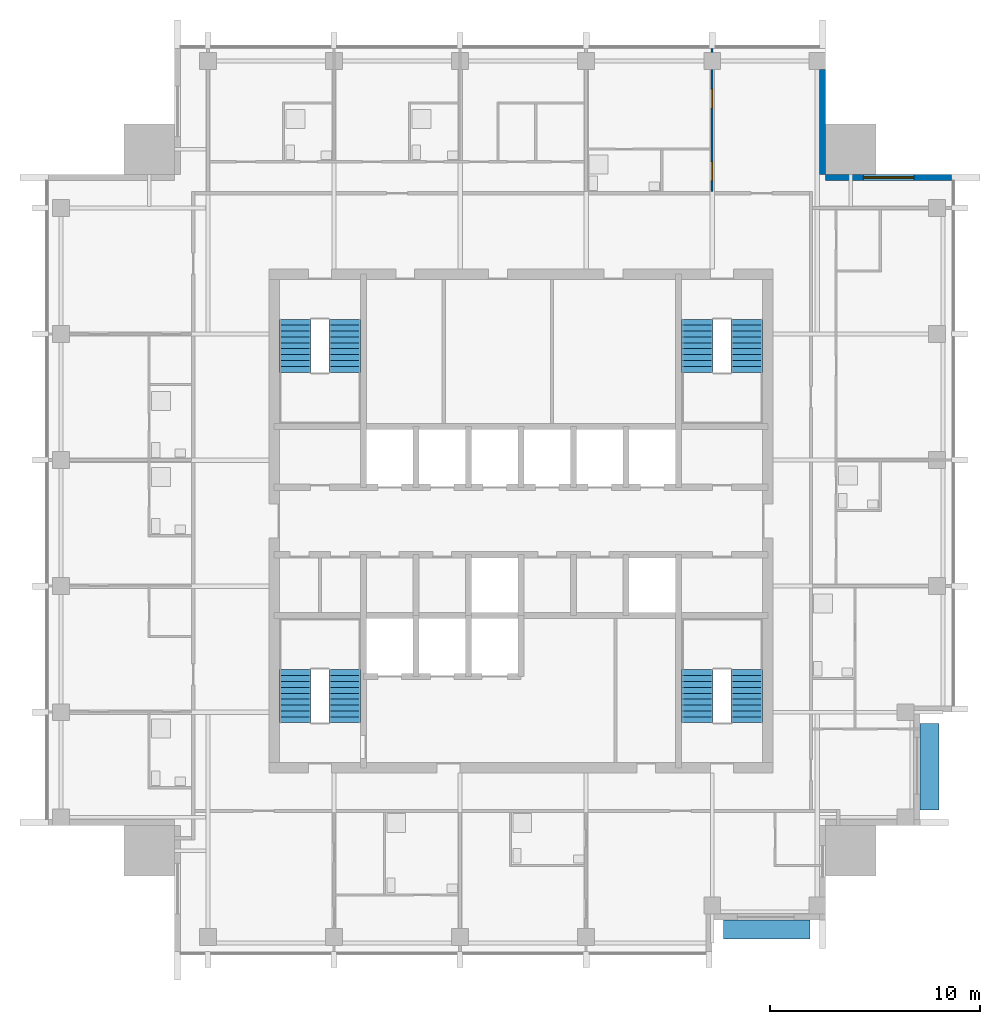
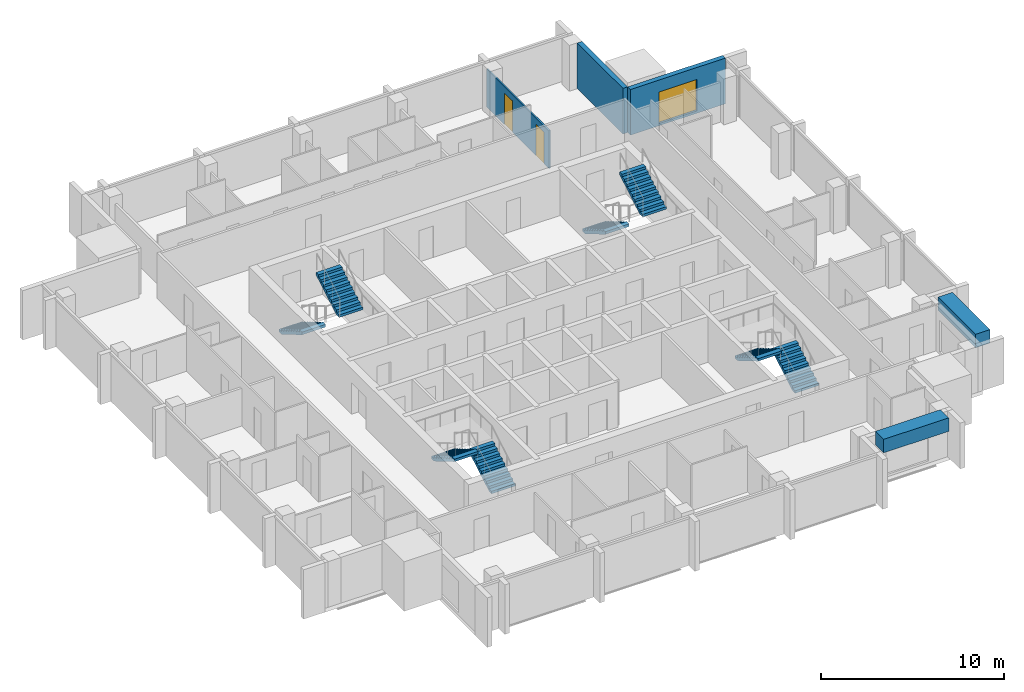
# One storey, part 7 of 9: 8 stair flights, 3 walls, 2 discrete accessories, 2 doors, 1 window, 3 openings, 4 elements without a shape of their own.
"""IFC4 building model written with IfcOpenShell, lengths in metres."""

from ifc_helpers import new_model, si_unit, direction, frame, frame_2d, origin, origin_2d, place, context, subcontext, project, spatial, polyline, rectangle, outline, extrude, material, layer, layer_set, type_object, element, fill, aggregate, save


model = new_model("IFC4")

# Units and contexts
model_context = context("Model", 3, precision=1e-05, world=origin(), true_north=direction((0.0, 1.0)))
body_context = subcontext(model_context, "Body", "Model", "MODEL_VIEW")
ifc_project = project(units=[si_unit("LENGTHUNIT", "METRE"), si_unit("AREAUNIT", "SQUARE_METRE"), si_unit("VOLUMEUNIT", "CUBIC_METRE"), si_unit("PLANEANGLEUNIT", "RADIAN"), si_unit("MASSUNIT", "GRAM", prefix="KILO")], contexts=[model_context])

# Site, building, storey
site_placement = place(None, origin())
site = spatial("IfcSite", under=ifc_project, at=site_placement, CompositionType="ELEMENT")
building_placement = place(site_placement, origin())
building = spatial("IfcBuilding", under=site, at=building_placement, Name="Amberfall Residences", CompositionType="ELEMENT")
storey_placement = place(building_placement, frame((0.0, 0.0, 255.39990234375)))
storey = spatial("IfcBuildingStorey", under=building, at=storey_placement, Name="L68", CompositionType="ELEMENT", Elevation=255.39990234375)

# Wall, opening, window
ifc_material_1 = material(Name="Pale stone cladding on insulated backing", Category="masonry")
ifc_layer_1 = layer(ifc_material_1, 0.300048828125)
ifc_layer_set_1 = layer_set([ifc_layer_1], Name="Bronze clad wall 300")
wall_type_1 = type_object("IfcWallType", Name="Bronze clad wall 300", PredefinedType="SOLIDWALL", material=ifc_layer_set_1)
wall_1_placement = place(storey_placement, frame((95.0, 61.85009765625, 0.0), z_axis=(0.0, 0.0, 1.0), x_axis=(-1.0, 0.0, 0.0)))
wall_1 = element("IfcWall", 1, at=wall_1_placement, inside=storey, type_object=wall_type_1, Name="External wall L68 NE", PredefinedType="SOLIDWALL", context=body_context, shape_type="SweptSolid", body=[
    extrude(rectangle(XDim=6.0, YDim=0.300048828125, at=frame_2d((3.0, 0.0))), origin(), (0.0, 0.0, 1.0), 3.050048828125),
])
opening_1_placement = place(wall_1_placement, frame((1.800048828125, 0.0, 0.14990234375)))
opening_1 = element("IfcOpeningElement", 2, at=opening_1_placement, cuts=wall_1, Name="Opening WN5", PredefinedType="OPENING", context=body_context, shape_type="SweptSolid", body=[
    extrude(rectangle(XDim=2.39990234375, YDim=2.10009765625, at=frame_2d((1.199951171875, 1.050048828125))), frame((0.0, 0.159912109375, 0.0), z_axis=(0.0, -1.0, 0.0), x_axis=(1.0, 0.0, 0.0)), (0.0, 0.0, 1.0), 0.320068359375),
])
ifc_material_2 = material(Name="Bronze aluminium framed glazing", Category="aluminium")
window_type = type_object("IfcWindowType", Name="Glazed opening 2400 x 2100 bronze", PartitioningType="DOUBLE_PANEL_VERTICAL", PredefinedType="WINDOW", material=ifc_material_2)
window_placement = place(opening_1_placement, origin())
window = element("IfcWindow", 3, at=window_placement, inside=storey, type_object=window_type, Name="Window L68 NE", OverallHeight=2.10009765625, OverallWidth=2.39990234375, PartitioningType="DOUBLE_PANEL_VERTICAL", PredefinedType="WINDOW", context=body_context, shape_type="SweptSolid", body=[
    extrude(rectangle(XDim=2.39990234375, YDim=2.10009765625, at=frame_2d((1.199951171875, 1.050048828125))), frame((0.0, 0.030029296875, 0.0), z_axis=(0.0, -1.0, 0.0), x_axis=(1.0, 0.0, 0.0)), (0.0, 0.0, 1.0), 0.06005859375),
])
fill(opening_1, window)

# Wall
wall_2_placement = place(storey_placement, frame((88.85009765625, 62.0, 0.0), z_axis=(0.0, 0.0, 1.0), x_axis=(0.0, 1.0, 0.0)))
element("IfcWall", 4, at=wall_2_placement, inside=storey, type_object=wall_type_1, Name="External wall L68 NE", PredefinedType="SOLIDWALL", context=body_context, shape_type="SweptSolid", body=[
    extrude(rectangle(XDim=5.0, YDim=0.300048828125, at=frame_2d((2.5, 0.0))), origin(), (0.0, 0.0, 1.0), 3.050048828125),
])

# Wall, openings, doors
ifc_material_3 = material(Name="Gypsum board on metal stud")
ifc_layer_2 = layer(ifc_material_3, 0.10009765625)
ifc_layer_set_2 = layer_set([ifc_layer_2], Name="Flat partition 100")
wall_type_2 = type_object("IfcWallType", Name="Flat partition 100", PredefinedType="PARTITIONING", material=ifc_layer_set_2)
wall_3_placement = place(storey_placement, frame((83.60009765625, 61.175048828125, 0.0), z_axis=(0.0, 0.0, 1.0), x_axis=(0.0, 1.0, 0.0)))
wall_3 = element("IfcWall", 5, at=wall_3_placement, inside=storey, type_object=wall_type_2, Name="Partition 015", PredefinedType="PARTITIONING", context=body_context, shape_type="SweptSolid", body=[
    extrude(rectangle(XDim=6.824951171875, YDim=0.10009765625, at=frame_2d((3.41259765625, 0.0))), origin(), (0.0, 0.0, 1.0), 2.51611328125),
])
opening_2_placement = place(wall_3_placement, frame((0.52490234375, 0.0, 0.0)))
opening_2 = element("IfcOpeningElement", 6, at=opening_2_placement, cuts=wall_3, Name="Opening D41", PredefinedType="OPENING", context=body_context, shape_type="SweptSolid", body=[
    extrude(rectangle(XDim=0.89990234375, YDim=2.10009765625, at=frame_2d((0.449951171875, 1.050048828125))), frame((0.0, 0.06005859375, 0.0), z_axis=(0.0, -1.0, 0.0), x_axis=(1.0, 0.0, 0.0)), (0.0, 0.0, 1.0), 0.1201171875),
])
opening_3_placement = place(wall_3_placement, frame((3.97509765625, 0.0, 0.0)))
opening_3 = element("IfcOpeningElement", 7, at=opening_3_placement, cuts=wall_3, Name="Opening D41", PredefinedType="OPENING", context=body_context, shape_type="SweptSolid", body=[
    extrude(rectangle(XDim=0.89990234375, YDim=2.10009765625, at=frame_2d((0.449951171875, 1.050048828125))), frame((0.0, 0.06005859375, 0.0), z_axis=(0.0, -1.0, 0.0), x_axis=(1.0, 0.0, 0.0)), (0.0, 0.0, 1.0), 0.1201171875),
])
ifc_material_4 = material(Name="Timber", Category="wood")
door_type = type_object("IfcDoorType", Name="Internal door 900 x 2100", OperationType="SINGLE_SWING_LEFT", PredefinedType="DOOR", material=ifc_material_4)
door_1_placement = place(opening_2_placement, origin())
door_1 = element("IfcDoor", 8, at=door_1_placement, inside=storey, type_object=door_type, Name="Door 6806 kitchen", OperationType="SINGLE_SWING_LEFT", OverallHeight=2.10009765625, OverallWidth=0.89990234375, PredefinedType="DOOR", context=body_context, shape_type="SweptSolid", body=[
    extrude(rectangle(XDim=0.89990234375, YDim=2.10009765625, at=frame_2d((0.449951171875, 1.050048828125))), frame((0.0, 0.02490234375, 0.0), z_axis=(0.0, -1.0, 0.0), x_axis=(1.0, 0.0, 0.0)), (0.0, 0.0, 1.0), 0.050048828125),
])
fill(opening_2, door_1)
door_2_placement = place(opening_3_placement, origin())
door_2 = element("IfcDoor", 9, at=door_2_placement, inside=storey, type_object=door_type, Name="Door 6806 bedroom1", OperationType="SINGLE_SWING_LEFT", OverallHeight=2.10009765625, OverallWidth=0.89990234375, PredefinedType="DOOR", context=body_context, shape_type="SweptSolid", body=[
    extrude(rectangle(XDim=0.89990234375, YDim=2.10009765625, at=frame_2d((0.449951171875, 1.050048828125))), frame((0.0, 0.02490234375, 0.0), z_axis=(0.0, -1.0, 0.0), x_axis=(1.0, 0.0, 0.0)), (0.0, 0.0, 1.0), 0.050048828125),
])
fill(opening_3, door_2)

# Stair, stair flights
ifc_material_5 = material(Name="Concrete C40", Category="concrete")
stair_type = type_object("IfcStairType", Name="Exit stair 20 risers 165.0 mm", PredefinedType="HALF_TURN_STAIR", material=ifc_material_5)
stair_1_placement = place(storey_placement, origin())
stair_1 = element("IfcStair", 10, at=stair_1_placement, inside=storey, type_object=stair_type, Name="L68 Exit stair 1", PredefinedType="HALF_TURN_STAIR")
stair_flight_type = type_object("IfcStairFlightType", Name="Stair flight 10 risers 165.0 mm", PredefinedType="STRAIGHT", material=ifc_material_5)
stair_flight_1_placement = place(storey_placement, frame((66.10009765625, 35.89990234375, 0.0), z_axis=(0.0, 0.0, 1.0), x_axis=(0.0, 1.0, 0.0)))
stair_flight_1 = element("IfcStairFlight", 11, at=stair_flight_1_placement, type_object=stair_flight_type, Name="ST3 flight 1", NumberOfRisers=10, NumberOfTreads=9, PredefinedType="STRAIGHT", RiserHeight=0.165, TreadLength=0.28, context=body_context, shape_type="SweptSolid", body=[
    extrude(outline(polyline([(0.0, 0.0), (0.0, 0.1650390625), (0.280029296875, 0.1650390625), (0.280029296875, 0.330078125), (0.56005859375, 0.330078125), (0.56005859375, 0.4951171875), (0.840087890625, 0.4951171875), (0.840087890625, 0.659912109375), (1.1201171875, 0.659912109375), (1.1201171875, 0.824951171875), (1.39990234375, 0.824951171875), (1.39990234375, 0.989990234375), (1.679931640625, 0.989990234375), (1.679931640625, 1.155029296875), (1.9599609375, 1.155029296875), (1.9599609375, 1.320068359375), (2.239990234375, 1.320068359375), (2.239990234375, 1.485107421875), (2.52001953125, 1.485107421875), (2.52001953125, 1.64990234375), (2.52001953125, 1.31103515625), (0.295166015625, 0.0), (0.0, 0.0)])), frame((0.0, 0.75, 0.0), z_axis=(0.0, -1.0, 0.0), x_axis=(1.0, 0.0, 0.0)), (0.0, 0.0, 1.0), 1.5),
])
stair_flight_2_placement = place(storey_placement, frame((63.75, 38.419921875, 1.650146484375), z_axis=(0.0, 0.0, 1.0), x_axis=(0.0, -1.0, 0.0)))
stair_flight_2 = element("IfcStairFlight", 12, at=stair_flight_2_placement, type_object=stair_flight_type, Name="ST3 flight 2", NumberOfRisers=10, NumberOfTreads=9, PredefinedType="STRAIGHT", RiserHeight=0.165, TreadLength=0.28, context=body_context, shape_type="SweptSolid", body=[
    extrude(outline(polyline([(0.0, 0.0), (0.0, 0.1650390625), (0.280029296875, 0.1650390625), (0.280029296875, 0.330078125), (0.56005859375, 0.330078125), (0.56005859375, 0.4951171875), (0.840087890625, 0.4951171875), (0.840087890625, 0.659912109375), (1.1201171875, 0.659912109375), (1.1201171875, 0.824951171875), (1.39990234375, 0.824951171875), (1.39990234375, 0.989990234375), (1.679931640625, 0.989990234375), (1.679931640625, 1.155029296875), (1.9599609375, 1.155029296875), (1.9599609375, 1.320068359375), (2.239990234375, 1.320068359375), (2.239990234375, 1.485107421875), (2.52001953125, 1.485107421875), (2.52001953125, 1.64990234375), (2.52001953125, 1.31103515625), (0.295166015625, 0.0), (0.0, 0.0)])), frame((0.0, 0.75, 0.0), z_axis=(0.0, -1.0, 0.0), x_axis=(1.0, 0.0, 0.0)), (0.0, 0.0, 1.0), 1.5),
])
aggregate(stair_1, [stair_flight_1, stair_flight_2])

stair_2_placement = place(storey_placement, origin())
stair_2 = element("IfcStair", 13, at=stair_2_placement, inside=storey, type_object=stair_type, Name="L68 Exit stair 2", PredefinedType="HALF_TURN_STAIR")
stair_flight_3_placement = place(storey_placement, frame((85.25, 35.89990234375, 0.0), z_axis=(0.0, 0.0, 1.0), x_axis=(0.0, 1.0, 0.0)))
stair_flight_3 = element("IfcStairFlight", 14, at=stair_flight_3_placement, type_object=stair_flight_type, Name="ST3 flight 1", NumberOfRisers=10, NumberOfTreads=9, PredefinedType="STRAIGHT", RiserHeight=0.165, TreadLength=0.28, context=body_context, shape_type="SweptSolid", body=[
    extrude(outline(polyline([(0.0, 0.0), (0.0, 0.1650390625), (0.280029296875, 0.1650390625), (0.280029296875, 0.330078125), (0.56005859375, 0.330078125), (0.56005859375, 0.4951171875), (0.840087890625, 0.4951171875), (0.840087890625, 0.659912109375), (1.1201171875, 0.659912109375), (1.1201171875, 0.824951171875), (1.39990234375, 0.824951171875), (1.39990234375, 0.989990234375), (1.679931640625, 0.989990234375), (1.679931640625, 1.155029296875), (1.9599609375, 1.155029296875), (1.9599609375, 1.320068359375), (2.239990234375, 1.320068359375), (2.239990234375, 1.485107421875), (2.52001953125, 1.485107421875), (2.52001953125, 1.64990234375), (2.52001953125, 1.31103515625), (0.295166015625, 0.0), (0.0, 0.0)])), frame((0.0, 0.75, 0.0), z_axis=(0.0, -1.0, 0.0), x_axis=(1.0, 0.0, 0.0)), (0.0, 0.0, 1.0), 1.5),
])
stair_flight_4_placement = place(storey_placement, frame((82.89990234375, 38.419921875, 1.650146484375), z_axis=(0.0, 0.0, 1.0), x_axis=(0.0, -1.0, 0.0)))
stair_flight_4 = element("IfcStairFlight", 15, at=stair_flight_4_placement, type_object=stair_flight_type, Name="ST3 flight 2", NumberOfRisers=10, NumberOfTreads=9, PredefinedType="STRAIGHT", RiserHeight=0.165, TreadLength=0.28, context=body_context, shape_type="SweptSolid", body=[
    extrude(outline(polyline([(0.0, 0.0), (0.0, 0.1650390625), (0.280029296875, 0.1650390625), (0.280029296875, 0.330078125), (0.56005859375, 0.330078125), (0.56005859375, 0.4951171875), (0.840087890625, 0.4951171875), (0.840087890625, 0.659912109375), (1.1201171875, 0.659912109375), (1.1201171875, 0.824951171875), (1.39990234375, 0.824951171875), (1.39990234375, 0.989990234375), (1.679931640625, 0.989990234375), (1.679931640625, 1.155029296875), (1.9599609375, 1.155029296875), (1.9599609375, 1.320068359375), (2.239990234375, 1.320068359375), (2.239990234375, 1.485107421875), (2.52001953125, 1.485107421875), (2.52001953125, 1.64990234375), (2.52001953125, 1.31103515625), (0.295166015625, 0.0), (0.0, 0.0)])), frame((0.0, 0.75, 0.0), z_axis=(0.0, -1.0, 0.0), x_axis=(1.0, 0.0, 0.0)), (0.0, 0.0, 1.0), 1.5),
])
aggregate(stair_2, [stair_flight_3, stair_flight_4])

stair_3_placement = place(storey_placement, origin())
stair_3 = element("IfcStair", 16, at=stair_3_placement, inside=storey, type_object=stair_type, Name="L68 Exit stair 3", PredefinedType="HALF_TURN_STAIR")
stair_flight_5_placement = place(storey_placement, frame((82.89990234375, 55.10009765625, 0.0), z_axis=(0.0, 0.0, 1.0), x_axis=(0.0, -1.0, 0.0)))
stair_flight_5 = element("IfcStairFlight", 17, at=stair_flight_5_placement, type_object=stair_flight_type, Name="ST3 flight 1", NumberOfRisers=10, NumberOfTreads=9, PredefinedType="STRAIGHT", RiserHeight=0.165, TreadLength=0.28, context=body_context, shape_type="SweptSolid", body=[
    extrude(outline(polyline([(0.0, 0.0), (0.0, 0.1650390625), (0.280029296875, 0.1650390625), (0.280029296875, 0.330078125), (0.56005859375, 0.330078125), (0.56005859375, 0.4951171875), (0.840087890625, 0.4951171875), (0.840087890625, 0.659912109375), (1.1201171875, 0.659912109375), (1.1201171875, 0.824951171875), (1.39990234375, 0.824951171875), (1.39990234375, 0.989990234375), (1.679931640625, 0.989990234375), (1.679931640625, 1.155029296875), (1.9599609375, 1.155029296875), (1.9599609375, 1.320068359375), (2.239990234375, 1.320068359375), (2.239990234375, 1.485107421875), (2.52001953125, 1.485107421875), (2.52001953125, 1.64990234375), (2.52001953125, 1.31103515625), (0.295166015625, 0.0), (0.0, 0.0)])), frame((0.0, 0.75, 0.0), z_axis=(0.0, -1.0, 0.0), x_axis=(1.0, 0.0, 0.0)), (0.0, 0.0, 1.0), 1.5),
])
stair_flight_6_placement = place(storey_placement, frame((85.25, 52.580078125, 1.650146484375), z_axis=(0.0, 0.0, 1.0), x_axis=(0.0, 1.0, 0.0)))
stair_flight_6 = element("IfcStairFlight", 18, at=stair_flight_6_placement, type_object=stair_flight_type, Name="ST3 flight 2", NumberOfRisers=10, NumberOfTreads=9, PredefinedType="STRAIGHT", RiserHeight=0.165, TreadLength=0.28, context=body_context, shape_type="SweptSolid", body=[
    extrude(outline(polyline([(0.0, 0.0), (0.0, 0.1650390625), (0.280029296875, 0.1650390625), (0.280029296875, 0.330078125), (0.56005859375, 0.330078125), (0.56005859375, 0.4951171875), (0.840087890625, 0.4951171875), (0.840087890625, 0.659912109375), (1.1201171875, 0.659912109375), (1.1201171875, 0.824951171875), (1.39990234375, 0.824951171875), (1.39990234375, 0.989990234375), (1.679931640625, 0.989990234375), (1.679931640625, 1.155029296875), (1.9599609375, 1.155029296875), (1.9599609375, 1.320068359375), (2.239990234375, 1.320068359375), (2.239990234375, 1.485107421875), (2.52001953125, 1.485107421875), (2.52001953125, 1.64990234375), (2.52001953125, 1.31103515625), (0.295166015625, 0.0), (0.0, 0.0)])), frame((0.0, 0.75, 0.0), z_axis=(0.0, -1.0, 0.0), x_axis=(1.0, 0.0, 0.0)), (0.0, 0.0, 1.0), 1.5),
])
aggregate(stair_3, [stair_flight_5, stair_flight_6])

stair_4_placement = place(storey_placement, origin())
stair_4 = element("IfcStair", 19, at=stair_4_placement, inside=storey, type_object=stair_type, Name="L68 Exit stair 4", PredefinedType="HALF_TURN_STAIR")
stair_flight_7_placement = place(storey_placement, frame((63.75, 55.10009765625, 0.0), z_axis=(0.0, 0.0, 1.0), x_axis=(0.0, -1.0, 0.0)))
stair_flight_7 = element("IfcStairFlight", 20, at=stair_flight_7_placement, type_object=stair_flight_type, Name="ST3 flight 1", NumberOfRisers=10, NumberOfTreads=9, PredefinedType="STRAIGHT", RiserHeight=0.165, TreadLength=0.28, context=body_context, shape_type="SweptSolid", body=[
    extrude(outline(polyline([(0.0, 0.0), (0.0, 0.1650390625), (0.280029296875, 0.1650390625), (0.280029296875, 0.330078125), (0.56005859375, 0.330078125), (0.56005859375, 0.4951171875), (0.840087890625, 0.4951171875), (0.840087890625, 0.659912109375), (1.1201171875, 0.659912109375), (1.1201171875, 0.824951171875), (1.39990234375, 0.824951171875), (1.39990234375, 0.989990234375), (1.679931640625, 0.989990234375), (1.679931640625, 1.155029296875), (1.9599609375, 1.155029296875), (1.9599609375, 1.320068359375), (2.239990234375, 1.320068359375), (2.239990234375, 1.485107421875), (2.52001953125, 1.485107421875), (2.52001953125, 1.64990234375), (2.52001953125, 1.31103515625), (0.295166015625, 0.0), (0.0, 0.0)])), frame((0.0, 0.75, 0.0), z_axis=(0.0, -1.0, 0.0), x_axis=(1.0, 0.0, 0.0)), (0.0, 0.0, 1.0), 1.5),
])
stair_flight_8_placement = place(storey_placement, frame((66.10009765625, 52.580078125, 1.650146484375), z_axis=(0.0, 0.0, 1.0), x_axis=(0.0, 1.0, 0.0)))
stair_flight_8 = element("IfcStairFlight", 21, at=stair_flight_8_placement, type_object=stair_flight_type, Name="ST3 flight 2", NumberOfRisers=10, NumberOfTreads=9, PredefinedType="STRAIGHT", RiserHeight=0.165, TreadLength=0.28, context=body_context, shape_type="SweptSolid", body=[
    extrude(outline(polyline([(0.0, 0.0), (0.0, 0.1650390625), (0.280029296875, 0.1650390625), (0.280029296875, 0.330078125), (0.56005859375, 0.330078125), (0.56005859375, 0.4951171875), (0.840087890625, 0.4951171875), (0.840087890625, 0.659912109375), (1.1201171875, 0.659912109375), (1.1201171875, 0.824951171875), (1.39990234375, 0.824951171875), (1.39990234375, 0.989990234375), (1.679931640625, 0.989990234375), (1.679931640625, 1.155029296875), (1.9599609375, 1.155029296875), (1.9599609375, 1.320068359375), (2.239990234375, 1.320068359375), (2.239990234375, 1.485107421875), (2.52001953125, 1.485107421875), (2.52001953125, 1.64990234375), (2.52001953125, 1.31103515625), (0.295166015625, 0.0), (0.0, 0.0)])), frame((0.0, 0.75, 0.0), z_axis=(0.0, -1.0, 0.0), x_axis=(1.0, 0.0, 0.0)), (0.0, 0.0, 1.0), 1.5),
])
aggregate(stair_4, [stair_flight_7, stair_flight_8])

# Discrete accessories
for number, where, z_axis, x_axis, name in (
    (22, (86.195068359375, 26.050048828125, 2.400146484375), (0.0, 0.0, 1.0), (1.0, 0.0, 0.0), "Planter box L69 S3"),
    (23, (93.949951171875, 33.804931640625, 2.400146484375), (0.0, 0.0, 1.0), (0.0, 1.0, 0.0), "Planter box L69 E1"),
):
    element("IfcDiscreteAccessory", number, at=place(storey_placement, frame(where, z_axis=z_axis, x_axis=x_axis)), inside=storey, Name=name, ObjectType="PLANTER BOX", PredefinedType="USERDEFINED", context=body_context, shape_type="SweptSolid", body=[
        extrude(rectangle(XDim=4.110107421875, YDim=0.89990234375, at=origin_2d()), origin(), (0.0, 0.0, 1.0), 0.89990234375),
    ])

save(model, "model.ifc")
